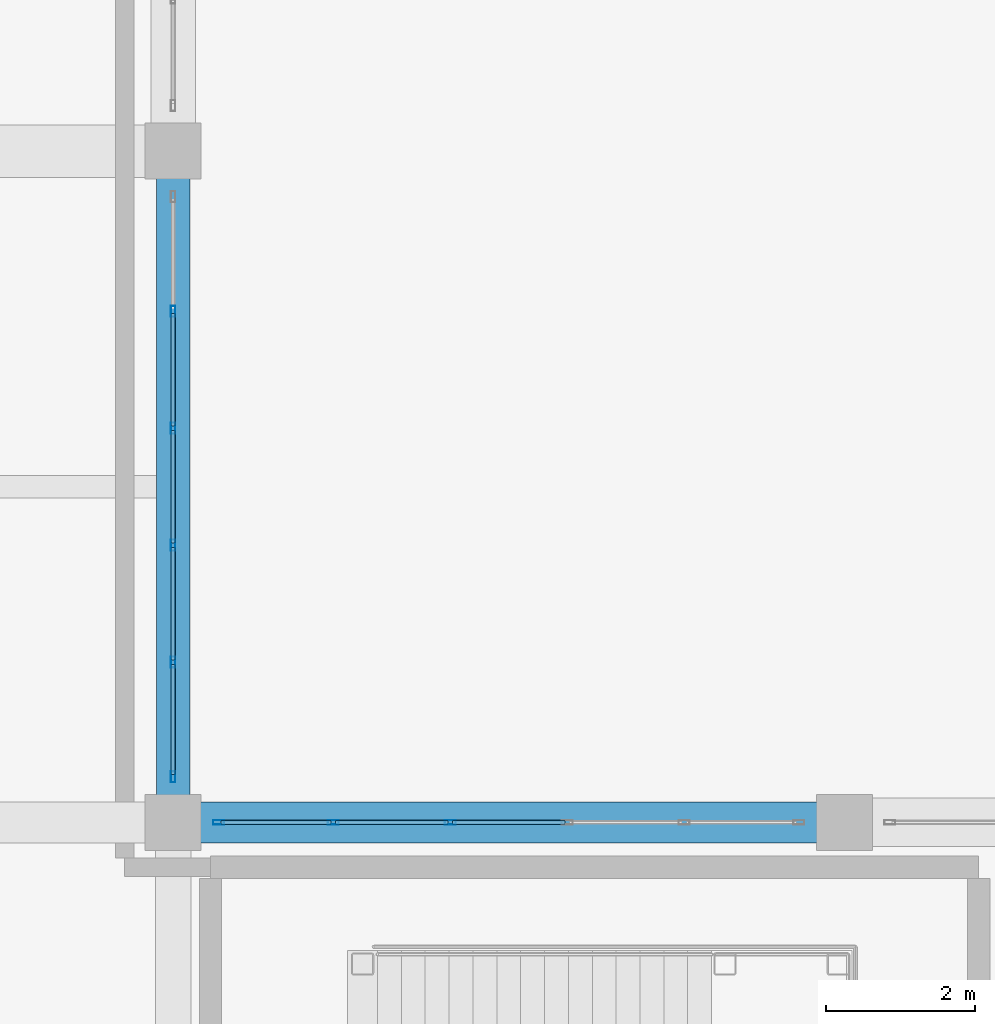
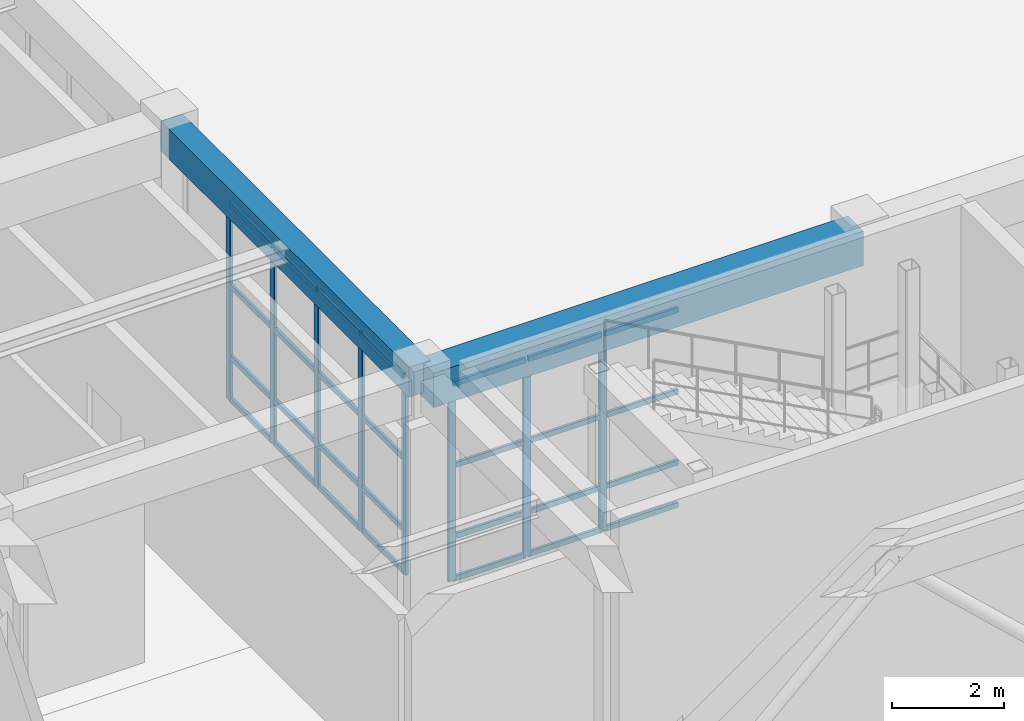
# One storey, part 19 of 128: 36 members, 2 beams, 2 elements without a shape of their own.
"""IFC4 building model written with IfcOpenShell, lengths in metres."""

from ifc_helpers import new_model, si_unit, direction, frame, origin, origin_2d, place, context, subcontext, project, spatial, rectangle, hollow_rectangle, extrude, material, material_profile, profile_set, type_object, element, aggregate, save


model = new_model("IFC4")

# Units and contexts
model_context = context("Model", 3, precision=1e-05, world=origin(), true_north=direction((0.0, 1.0)))
body_context = subcontext(model_context, "Body", "Model", "MODEL_VIEW")
ifc_project = project(units=[si_unit("LENGTHUNIT", "METRE"), si_unit("AREAUNIT", "SQUARE_METRE"), si_unit("VOLUMEUNIT", "CUBIC_METRE"), si_unit("PLANEANGLEUNIT", "RADIAN"), si_unit("MASSUNIT", "GRAM", prefix="KILO")], contexts=[model_context])

# Site, building, storey
site_placement = place(None, origin())
site = spatial("IfcSite", under=ifc_project, at=site_placement, CompositionType="ELEMENT")
building_placement = place(site_placement, origin())
building = spatial("IfcBuilding", under=site, at=building_placement, Name="Miravela Opera House", CompositionType="ELEMENT")
storey_placement = place(building_placement, origin())
storey = spatial("IfcBuildingStorey", under=building, at=storey_placement, Name="L00", CompositionType="ELEMENT", Elevation=0.0)

# Curtain wall, members
ifc_material_1 = material(Name="Anodised architectural bronze aluminium 6063-T6", Category="aluminium")
curtain_wall_type = type_object("IfcCurtainWallType", Name="ARC-CW-06", PredefinedType="NOTDEFINED", material=ifc_material_1)
curtain_wall_1_placement = place(storey_placement, origin())
curtain_wall_1 = element("IfcCurtainWall", 1, at=curtain_wall_1_placement, inside=storey, type_object=curtain_wall_type, Name="Courtyard Arcade Curtain Wall CW-L00-114", PredefinedType="NOTDEFINED")
ifc_material_profile_1 = material_profile(ifc_material_1, hollow_rectangle(XDim=0.06005859375, YDim=0.14990234375, WallThickness=0.00390625, InnerFilletRadius=0.001953125, OuterFilletRadius=0.00390625, at=origin_2d()), Name="CWM-60X150")
ifc_profile_set_1 = profile_set([ifc_material_profile_1])
member_type_1 = type_object("IfcMemberType", Name="ARC-CWM-150", PredefinedType="MULLION", material=ifc_profile_set_1)
member_1_placement = place(storey_placement, frame((27.610107421875, 9.0, 0.0), z_axis=(0.0, 0.0, 1.0), x_axis=(0.0, 1.0, 0.0)))
member_1 = element("IfcMember", 2, at=member_1_placement, type_object=member_type_1, Name="CW-06 mullion 1", PredefinedType="MULLION", context=body_context, shape_type="SweptSolid", body=[
    extrude(hollow_rectangle(XDim=0.06005859375, YDim=0.14990234375, WallThickness=0.00390625, InnerFilletRadius=0.001953125, OuterFilletRadius=0.00390625, at=origin_2d()), origin(), (0.0, 0.0, 1.0), 4.300048828125),
])
member_2_placement = place(storey_placement, frame((29.14794921875, 9.0, 0.0), z_axis=(0.0, 0.0, 1.0), x_axis=(0.0, 1.0, 0.0)))
member_2 = element("IfcMember", 3, at=member_2_placement, type_object=member_type_1, Name="CW-06 mullion 2", PredefinedType="MULLION", context=body_context, shape_type="SweptSolid", body=[
    extrude(hollow_rectangle(XDim=0.06005859375, YDim=0.14990234375, WallThickness=0.00390625, InnerFilletRadius=0.001953125, OuterFilletRadius=0.00390625, at=origin_2d()), origin(), (0.0, 0.0, 1.0), 4.300048828125),
])
member_3_placement = place(storey_placement, frame((30.716064453125, 9.0, 0.0), z_axis=(0.0, 0.0, 1.0), x_axis=(0.0, 1.0, 0.0)))
member_3 = element("IfcMember", 4, at=member_3_placement, type_object=member_type_1, Name="CW-06 mullion 3", PredefinedType="MULLION", context=body_context, shape_type="SweptSolid", body=[
    extrude(hollow_rectangle(XDim=0.06005859375, YDim=0.14990234375, WallThickness=0.00390625, InnerFilletRadius=0.001953125, OuterFilletRadius=0.00390625, at=origin_2d()), origin(), (0.0, 0.0, 1.0), 4.300048828125),
])

curtain_wall_2_placement = place(storey_placement, origin())
curtain_wall_2 = element("IfcCurtainWall", 5, at=curtain_wall_2_placement, inside=storey, type_object=curtain_wall_type, Name="Courtyard Arcade Curtain Wall CW-L00-121", PredefinedType="NOTDEFINED")
member_4_placement = place(storey_placement, frame((27.0, 9.610107421875, 0.0), z_axis=(0.0, 0.0, 1.0), x_axis=(-1.0, 0.0, 0.0)))
member_4 = element("IfcMember", 6, at=member_4_placement, type_object=member_type_1, Name="CW-06 mullion 1", PredefinedType="MULLION", context=body_context, shape_type="SweptSolid", body=[
    extrude(hollow_rectangle(XDim=0.06005859375, YDim=0.14990234375, WallThickness=0.00390625, InnerFilletRadius=0.001953125, OuterFilletRadius=0.00390625, at=origin_2d()), origin(), (0.0, 0.0, 1.0), 4.300048828125),
])
member_5_placement = place(storey_placement, frame((27.0, 11.14794921875, 0.0), z_axis=(0.0, 0.0, 1.0), x_axis=(-1.0, 0.0, 0.0)))
member_5 = element("IfcMember", 7, at=member_5_placement, type_object=member_type_1, Name="CW-06 mullion 2", PredefinedType="MULLION", context=body_context, shape_type="SweptSolid", body=[
    extrude(hollow_rectangle(XDim=0.06005859375, YDim=0.14990234375, WallThickness=0.00390625, InnerFilletRadius=0.001953125, OuterFilletRadius=0.00390625, at=origin_2d()), origin(), (0.0, 0.0, 1.0), 4.300048828125),
])
member_6_placement = place(storey_placement, frame((27.0, 12.716064453125, 0.0), z_axis=(0.0, 0.0, 1.0), x_axis=(-1.0, 0.0, 0.0)))
member_6 = element("IfcMember", 8, at=member_6_placement, type_object=member_type_1, Name="CW-06 mullion 3", PredefinedType="MULLION", context=body_context, shape_type="SweptSolid", body=[
    extrude(hollow_rectangle(XDim=0.06005859375, YDim=0.14990234375, WallThickness=0.00390625, InnerFilletRadius=0.001953125, OuterFilletRadius=0.00390625, at=origin_2d()), origin(), (0.0, 0.0, 1.0), 4.300048828125),
])
member_7_placement = place(storey_placement, frame((27.0, 14.283935546875, 0.0), z_axis=(0.0, 0.0, 1.0), x_axis=(-1.0, 0.0, 0.0)))
member_7 = element("IfcMember", 9, at=member_7_placement, type_object=member_type_1, Name="CW-06 mullion 4", PredefinedType="MULLION", context=body_context, shape_type="SweptSolid", body=[
    extrude(hollow_rectangle(XDim=0.06005859375, YDim=0.14990234375, WallThickness=0.00390625, InnerFilletRadius=0.001953125, OuterFilletRadius=0.00390625, at=origin_2d()), origin(), (0.0, 0.0, 1.0), 4.300048828125),
])
member_8_placement = place(storey_placement, frame((27.0, 15.85205078125, 0.0), z_axis=(0.0, 0.0, 1.0), x_axis=(-1.0, 0.0, 0.0)))
member_8 = element("IfcMember", 10, at=member_8_placement, type_object=member_type_1, Name="CW-06 mullion 5", PredefinedType="MULLION", context=body_context, shape_type="SweptSolid", body=[
    extrude(hollow_rectangle(XDim=0.06005859375, YDim=0.14990234375, WallThickness=0.00390625, InnerFilletRadius=0.001953125, OuterFilletRadius=0.00390625, at=origin_2d()), origin(), (0.0, 0.0, 1.0), 4.300048828125),
])

# Member
ifc_material_profile_2 = material_profile(ifc_material_1, hollow_rectangle(XDim=0.06005859375, YDim=0.114990234375, WallThickness=0.00390625, InnerFilletRadius=0.001953125, OuterFilletRadius=0.00390625, at=origin_2d()), Name="CWT-60X115")
ifc_profile_set_2 = profile_set([ifc_material_profile_2])
member_type_2 = type_object("IfcMemberType", Name="ARC-CWT-115", PredefinedType="USERDEFINED", material=ifc_profile_set_2)
member_9_placement = place(storey_placement, frame((27.639892578125, 9.0, 0.030029296875), z_axis=(1.0, 0.0, 0.0), x_axis=(0.0, 1.0, 0.0)))
member_9 = element("IfcMember", 11, at=member_9_placement, type_object=member_type_2, Name="CW-06 transom 1.1", ObjectType="TRANSOM", PredefinedType="USERDEFINED", context=body_context, shape_type="SweptSolid", body=[
    extrude(hollow_rectangle(XDim=0.06005859375, YDim=0.114990234375, WallThickness=0.00390625, InnerFilletRadius=0.001953125, OuterFilletRadius=0.00390625, at=origin_2d()), origin(), (0.0, 0.0, 1.0), 1.47802734375),
])

member_10_placement = place(storey_placement, frame((27.639892578125, 9.0, 0.949951171875), z_axis=(1.0, 0.0, 0.0), x_axis=(0.0, 1.0, 0.0)))
member_10 = element("IfcMember", 12, at=member_10_placement, type_object=member_type_2, Name="CW-06 transom 1.2", ObjectType="TRANSOM", PredefinedType="USERDEFINED", context=body_context, shape_type="SweptSolid", body=[
    extrude(hollow_rectangle(XDim=0.06005859375, YDim=0.114990234375, WallThickness=0.00390625, InnerFilletRadius=0.001953125, OuterFilletRadius=0.00390625, at=origin_2d()), origin(), (0.0, 0.0, 1.0), 1.47802734375),
])

member_11_placement = place(storey_placement, frame((27.639892578125, 9.0, 2.493896484375), z_axis=(1.0, 0.0, 0.0), x_axis=(0.0, 1.0, 0.0)))
member_11 = element("IfcMember", 13, at=member_11_placement, type_object=member_type_2, Name="CW-06 transom 1.3", ObjectType="TRANSOM", PredefinedType="USERDEFINED", context=body_context, shape_type="SweptSolid", body=[
    extrude(hollow_rectangle(XDim=0.06005859375, YDim=0.114990234375, WallThickness=0.00390625, InnerFilletRadius=0.001953125, OuterFilletRadius=0.00390625, at=origin_2d()), origin(), (0.0, 0.0, 1.0), 1.47802734375),
])

member_12_placement = place(storey_placement, frame((27.639892578125, 9.0, 4.27001953125), z_axis=(1.0, 0.0, 0.0), x_axis=(0.0, 1.0, 0.0)))
member_12 = element("IfcMember", 14, at=member_12_placement, type_object=member_type_2, Name="CW-06 transom 1.4", ObjectType="TRANSOM", PredefinedType="USERDEFINED", context=body_context, shape_type="SweptSolid", body=[
    extrude(hollow_rectangle(XDim=0.06005859375, YDim=0.114990234375, WallThickness=0.00390625, InnerFilletRadius=0.001953125, OuterFilletRadius=0.00390625, at=origin_2d()), origin(), (0.0, 0.0, 1.0), 1.47802734375),
])

member_13_placement = place(storey_placement, frame((29.177978515625, 9.0, 0.030029296875), z_axis=(1.0, 0.0, 0.0), x_axis=(0.0, 1.0, 0.0)))
member_13 = element("IfcMember", 15, at=member_13_placement, type_object=member_type_2, Name="CW-06 transom 2.1", ObjectType="TRANSOM", PredefinedType="USERDEFINED", context=body_context, shape_type="SweptSolid", body=[
    extrude(hollow_rectangle(XDim=0.06005859375, YDim=0.114990234375, WallThickness=0.00390625, InnerFilletRadius=0.001953125, OuterFilletRadius=0.00390625, at=origin_2d()), origin(), (0.0, 0.0, 1.0), 1.508056640625),
])

member_14_placement = place(storey_placement, frame((29.177978515625, 9.0, 0.949951171875), z_axis=(1.0, 0.0, 0.0), x_axis=(0.0, 1.0, 0.0)))
member_14 = element("IfcMember", 16, at=member_14_placement, type_object=member_type_2, Name="CW-06 transom 2.2", ObjectType="TRANSOM", PredefinedType="USERDEFINED", context=body_context, shape_type="SweptSolid", body=[
    extrude(hollow_rectangle(XDim=0.06005859375, YDim=0.114990234375, WallThickness=0.00390625, InnerFilletRadius=0.001953125, OuterFilletRadius=0.00390625, at=origin_2d()), origin(), (0.0, 0.0, 1.0), 1.508056640625),
])

member_15_placement = place(storey_placement, frame((29.177978515625, 9.0, 2.493896484375), z_axis=(1.0, 0.0, 0.0), x_axis=(0.0, 1.0, 0.0)))
member_15 = element("IfcMember", 17, at=member_15_placement, type_object=member_type_2, Name="CW-06 transom 2.3", ObjectType="TRANSOM", PredefinedType="USERDEFINED", context=body_context, shape_type="SweptSolid", body=[
    extrude(hollow_rectangle(XDim=0.06005859375, YDim=0.114990234375, WallThickness=0.00390625, InnerFilletRadius=0.001953125, OuterFilletRadius=0.00390625, at=origin_2d()), origin(), (0.0, 0.0, 1.0), 1.508056640625),
])

member_16_placement = place(storey_placement, frame((29.177978515625, 9.0, 4.27001953125), z_axis=(1.0, 0.0, 0.0), x_axis=(0.0, 1.0, 0.0)))
member_16 = element("IfcMember", 18, at=member_16_placement, type_object=member_type_2, Name="CW-06 transom 2.4", ObjectType="TRANSOM", PredefinedType="USERDEFINED", context=body_context, shape_type="SweptSolid", body=[
    extrude(hollow_rectangle(XDim=0.06005859375, YDim=0.114990234375, WallThickness=0.00390625, InnerFilletRadius=0.001953125, OuterFilletRadius=0.00390625, at=origin_2d()), origin(), (0.0, 0.0, 1.0), 1.508056640625),
])

member_17_placement = place(storey_placement, frame((30.74609375, 9.0, 0.030029296875), z_axis=(1.0, 0.0, 0.0), x_axis=(0.0, 1.0, 0.0)))
member_17 = element("IfcMember", 19, at=member_17_placement, type_object=member_type_2, Name="CW-06 transom 3.1", ObjectType="TRANSOM", PredefinedType="USERDEFINED", context=body_context, shape_type="SweptSolid", body=[
    extrude(hollow_rectangle(XDim=0.06005859375, YDim=0.114990234375, WallThickness=0.00390625, InnerFilletRadius=0.001953125, OuterFilletRadius=0.00390625, at=origin_2d()), origin(), (0.0, 0.0, 1.0), 1.5078125),
])

member_18_placement = place(storey_placement, frame((30.74609375, 9.0, 0.949951171875), z_axis=(1.0, 0.0, 0.0), x_axis=(0.0, 1.0, 0.0)))
member_18 = element("IfcMember", 20, at=member_18_placement, type_object=member_type_2, Name="CW-06 transom 3.2", ObjectType="TRANSOM", PredefinedType="USERDEFINED", context=body_context, shape_type="SweptSolid", body=[
    extrude(hollow_rectangle(XDim=0.06005859375, YDim=0.114990234375, WallThickness=0.00390625, InnerFilletRadius=0.001953125, OuterFilletRadius=0.00390625, at=origin_2d()), origin(), (0.0, 0.0, 1.0), 1.5078125),
])

member_19_placement = place(storey_placement, frame((30.74609375, 9.0, 2.493896484375), z_axis=(1.0, 0.0, 0.0), x_axis=(0.0, 1.0, 0.0)))
member_19 = element("IfcMember", 21, at=member_19_placement, type_object=member_type_2, Name="CW-06 transom 3.3", ObjectType="TRANSOM", PredefinedType="USERDEFINED", context=body_context, shape_type="SweptSolid", body=[
    extrude(hollow_rectangle(XDim=0.06005859375, YDim=0.114990234375, WallThickness=0.00390625, InnerFilletRadius=0.001953125, OuterFilletRadius=0.00390625, at=origin_2d()), origin(), (0.0, 0.0, 1.0), 1.5078125),
])

member_20_placement = place(storey_placement, frame((30.74609375, 9.0, 4.27001953125), z_axis=(1.0, 0.0, 0.0), x_axis=(0.0, 1.0, 0.0)))
member_20 = element("IfcMember", 22, at=member_20_placement, type_object=member_type_2, Name="CW-06 transom 3.4", ObjectType="TRANSOM", PredefinedType="USERDEFINED", context=body_context, shape_type="SweptSolid", body=[
    extrude(hollow_rectangle(XDim=0.06005859375, YDim=0.114990234375, WallThickness=0.00390625, InnerFilletRadius=0.001953125, OuterFilletRadius=0.00390625, at=origin_2d()), origin(), (0.0, 0.0, 1.0), 1.5078125),
])

aggregate(curtain_wall_1, [member_1, member_2, member_3, member_9, member_10, member_11, member_12, member_13, member_14, member_15, member_16, member_17, member_18, member_19, member_20])

member_21_placement = place(storey_placement, frame((27.0, 9.639892578125, 0.030029296875), z_axis=(0.0, 1.0, 0.0), x_axis=(-1.0, 0.0, 0.0)))
member_21 = element("IfcMember", 23, at=member_21_placement, type_object=member_type_2, Name="CW-06 transom 1.1", ObjectType="TRANSOM", PredefinedType="USERDEFINED", context=body_context, shape_type="SweptSolid", body=[
    extrude(hollow_rectangle(XDim=0.06005859375, YDim=0.114990234375, WallThickness=0.00390625, InnerFilletRadius=0.001953125, OuterFilletRadius=0.00390625, at=origin_2d()), origin(), (0.0, 0.0, 1.0), 1.47802734375),
])

member_22_placement = place(storey_placement, frame((27.0, 9.639892578125, 0.949951171875), z_axis=(0.0, 1.0, 0.0), x_axis=(-1.0, 0.0, 0.0)))
member_22 = element("IfcMember", 24, at=member_22_placement, type_object=member_type_2, Name="CW-06 transom 1.2", ObjectType="TRANSOM", PredefinedType="USERDEFINED", context=body_context, shape_type="SweptSolid", body=[
    extrude(hollow_rectangle(XDim=0.06005859375, YDim=0.114990234375, WallThickness=0.00390625, InnerFilletRadius=0.001953125, OuterFilletRadius=0.00390625, at=origin_2d()), origin(), (0.0, 0.0, 1.0), 1.47802734375),
])

member_23_placement = place(storey_placement, frame((27.0, 9.639892578125, 2.493896484375), z_axis=(0.0, 1.0, 0.0), x_axis=(-1.0, 0.0, 0.0)))
member_23 = element("IfcMember", 25, at=member_23_placement, type_object=member_type_2, Name="CW-06 transom 1.3", ObjectType="TRANSOM", PredefinedType="USERDEFINED", context=body_context, shape_type="SweptSolid", body=[
    extrude(hollow_rectangle(XDim=0.06005859375, YDim=0.114990234375, WallThickness=0.00390625, InnerFilletRadius=0.001953125, OuterFilletRadius=0.00390625, at=origin_2d()), origin(), (0.0, 0.0, 1.0), 1.47802734375),
])

member_24_placement = place(storey_placement, frame((27.0, 9.639892578125, 4.27001953125), z_axis=(0.0, 1.0, 0.0), x_axis=(-1.0, 0.0, 0.0)))
member_24 = element("IfcMember", 26, at=member_24_placement, type_object=member_type_2, Name="CW-06 transom 1.4", ObjectType="TRANSOM", PredefinedType="USERDEFINED", context=body_context, shape_type="SweptSolid", body=[
    extrude(hollow_rectangle(XDim=0.06005859375, YDim=0.114990234375, WallThickness=0.00390625, InnerFilletRadius=0.001953125, OuterFilletRadius=0.00390625, at=origin_2d()), origin(), (0.0, 0.0, 1.0), 1.47802734375),
])

member_25_placement = place(storey_placement, frame((27.0, 11.177978515625, 0.030029296875), z_axis=(0.0, 1.0, 0.0), x_axis=(-1.0, 0.0, 0.0)))
member_25 = element("IfcMember", 27, at=member_25_placement, type_object=member_type_2, Name="CW-06 transom 2.1", ObjectType="TRANSOM", PredefinedType="USERDEFINED", context=body_context, shape_type="SweptSolid", body=[
    extrude(hollow_rectangle(XDim=0.06005859375, YDim=0.114990234375, WallThickness=0.00390625, InnerFilletRadius=0.001953125, OuterFilletRadius=0.00390625, at=origin_2d()), origin(), (0.0, 0.0, 1.0), 1.508056640625),
])

member_26_placement = place(storey_placement, frame((27.0, 11.177978515625, 0.949951171875), z_axis=(0.0, 1.0, 0.0), x_axis=(-1.0, 0.0, 0.0)))
member_26 = element("IfcMember", 28, at=member_26_placement, type_object=member_type_2, Name="CW-06 transom 2.2", ObjectType="TRANSOM", PredefinedType="USERDEFINED", context=body_context, shape_type="SweptSolid", body=[
    extrude(hollow_rectangle(XDim=0.06005859375, YDim=0.114990234375, WallThickness=0.00390625, InnerFilletRadius=0.001953125, OuterFilletRadius=0.00390625, at=origin_2d()), origin(), (0.0, 0.0, 1.0), 1.508056640625),
])

member_27_placement = place(storey_placement, frame((27.0, 11.177978515625, 2.493896484375), z_axis=(0.0, 1.0, 0.0), x_axis=(-1.0, 0.0, 0.0)))
member_27 = element("IfcMember", 29, at=member_27_placement, type_object=member_type_2, Name="CW-06 transom 2.3", ObjectType="TRANSOM", PredefinedType="USERDEFINED", context=body_context, shape_type="SweptSolid", body=[
    extrude(hollow_rectangle(XDim=0.06005859375, YDim=0.114990234375, WallThickness=0.00390625, InnerFilletRadius=0.001953125, OuterFilletRadius=0.00390625, at=origin_2d()), origin(), (0.0, 0.0, 1.0), 1.508056640625),
])

member_28_placement = place(storey_placement, frame((27.0, 11.177978515625, 4.27001953125), z_axis=(0.0, 1.0, 0.0), x_axis=(-1.0, 0.0, 0.0)))
member_28 = element("IfcMember", 30, at=member_28_placement, type_object=member_type_2, Name="CW-06 transom 2.4", ObjectType="TRANSOM", PredefinedType="USERDEFINED", context=body_context, shape_type="SweptSolid", body=[
    extrude(hollow_rectangle(XDim=0.06005859375, YDim=0.114990234375, WallThickness=0.00390625, InnerFilletRadius=0.001953125, OuterFilletRadius=0.00390625, at=origin_2d()), origin(), (0.0, 0.0, 1.0), 1.508056640625),
])

member_29_placement = place(storey_placement, frame((27.0, 12.74609375, 0.030029296875), z_axis=(0.0, 1.0, 0.0), x_axis=(-1.0, 0.0, 0.0)))
member_29 = element("IfcMember", 31, at=member_29_placement, type_object=member_type_2, Name="CW-06 transom 3.1", ObjectType="TRANSOM", PredefinedType="USERDEFINED", context=body_context, shape_type="SweptSolid", body=[
    extrude(hollow_rectangle(XDim=0.06005859375, YDim=0.114990234375, WallThickness=0.00390625, InnerFilletRadius=0.001953125, OuterFilletRadius=0.00390625, at=origin_2d()), origin(), (0.0, 0.0, 1.0), 1.5078125),
])

member_30_placement = place(storey_placement, frame((27.0, 12.74609375, 0.949951171875), z_axis=(0.0, 1.0, 0.0), x_axis=(-1.0, 0.0, 0.0)))
member_30 = element("IfcMember", 32, at=member_30_placement, type_object=member_type_2, Name="CW-06 transom 3.2", ObjectType="TRANSOM", PredefinedType="USERDEFINED", context=body_context, shape_type="SweptSolid", body=[
    extrude(hollow_rectangle(XDim=0.06005859375, YDim=0.114990234375, WallThickness=0.00390625, InnerFilletRadius=0.001953125, OuterFilletRadius=0.00390625, at=origin_2d()), origin(), (0.0, 0.0, 1.0), 1.5078125),
])

member_31_placement = place(storey_placement, frame((27.0, 12.74609375, 2.493896484375), z_axis=(0.0, 1.0, 0.0), x_axis=(-1.0, 0.0, 0.0)))
member_31 = element("IfcMember", 33, at=member_31_placement, type_object=member_type_2, Name="CW-06 transom 3.3", ObjectType="TRANSOM", PredefinedType="USERDEFINED", context=body_context, shape_type="SweptSolid", body=[
    extrude(hollow_rectangle(XDim=0.06005859375, YDim=0.114990234375, WallThickness=0.00390625, InnerFilletRadius=0.001953125, OuterFilletRadius=0.00390625, at=origin_2d()), origin(), (0.0, 0.0, 1.0), 1.5078125),
])

member_32_placement = place(storey_placement, frame((27.0, 12.74609375, 4.27001953125), z_axis=(0.0, 1.0, 0.0), x_axis=(-1.0, 0.0, 0.0)))
member_32 = element("IfcMember", 34, at=member_32_placement, type_object=member_type_2, Name="CW-06 transom 3.4", ObjectType="TRANSOM", PredefinedType="USERDEFINED", context=body_context, shape_type="SweptSolid", body=[
    extrude(hollow_rectangle(XDim=0.06005859375, YDim=0.114990234375, WallThickness=0.00390625, InnerFilletRadius=0.001953125, OuterFilletRadius=0.00390625, at=origin_2d()), origin(), (0.0, 0.0, 1.0), 1.5078125),
])

member_33_placement = place(storey_placement, frame((27.0, 14.31396484375, 0.030029296875), z_axis=(0.0, 1.0, 0.0), x_axis=(-1.0, 0.0, 0.0)))
member_33 = element("IfcMember", 35, at=member_33_placement, type_object=member_type_2, Name="CW-06 transom 4.1", ObjectType="TRANSOM", PredefinedType="USERDEFINED", context=body_context, shape_type="SweptSolid", body=[
    extrude(hollow_rectangle(XDim=0.06005859375, YDim=0.114990234375, WallThickness=0.00390625, InnerFilletRadius=0.001953125, OuterFilletRadius=0.00390625, at=origin_2d()), origin(), (0.0, 0.0, 1.0), 1.508056640625),
])

member_34_placement = place(storey_placement, frame((27.0, 14.31396484375, 0.949951171875), z_axis=(0.0, 1.0, 0.0), x_axis=(-1.0, 0.0, 0.0)))
member_34 = element("IfcMember", 36, at=member_34_placement, type_object=member_type_2, Name="CW-06 transom 4.2", ObjectType="TRANSOM", PredefinedType="USERDEFINED", context=body_context, shape_type="SweptSolid", body=[
    extrude(hollow_rectangle(XDim=0.06005859375, YDim=0.114990234375, WallThickness=0.00390625, InnerFilletRadius=0.001953125, OuterFilletRadius=0.00390625, at=origin_2d()), origin(), (0.0, 0.0, 1.0), 1.508056640625),
])

member_35_placement = place(storey_placement, frame((27.0, 14.31396484375, 2.493896484375), z_axis=(0.0, 1.0, 0.0), x_axis=(-1.0, 0.0, 0.0)))
member_35 = element("IfcMember", 37, at=member_35_placement, type_object=member_type_2, Name="CW-06 transom 4.3", ObjectType="TRANSOM", PredefinedType="USERDEFINED", context=body_context, shape_type="SweptSolid", body=[
    extrude(hollow_rectangle(XDim=0.06005859375, YDim=0.114990234375, WallThickness=0.00390625, InnerFilletRadius=0.001953125, OuterFilletRadius=0.00390625, at=origin_2d()), origin(), (0.0, 0.0, 1.0), 1.508056640625),
])

member_36_placement = place(storey_placement, frame((27.0, 14.31396484375, 4.27001953125), z_axis=(0.0, 1.0, 0.0), x_axis=(-1.0, 0.0, 0.0)))
member_36 = element("IfcMember", 38, at=member_36_placement, type_object=member_type_2, Name="CW-06 transom 4.4", ObjectType="TRANSOM", PredefinedType="USERDEFINED", context=body_context, shape_type="SweptSolid", body=[
    extrude(hollow_rectangle(XDim=0.06005859375, YDim=0.114990234375, WallThickness=0.00390625, InnerFilletRadius=0.001953125, OuterFilletRadius=0.00390625, at=origin_2d()), origin(), (0.0, 0.0, 1.0), 1.508056640625),
])

aggregate(curtain_wall_2, [member_4, member_5, member_6, member_7, member_8, member_21, member_22, member_23, member_24, member_25, member_26, member_27, member_28, member_29, member_30, member_31, member_32, member_33, member_34, member_35, member_36])

# Beams
ifc_material_2 = material(Name="Concrete C35/45", Category="concrete")
ifc_material_profile_3 = material_profile(ifc_material_2, rectangle(XDim=0.449951171875, YDim=0.64990234375, at=origin_2d()), Name="RC-BM-450X650")
ifc_profile_set_3 = profile_set([ifc_material_profile_3])
beam_type_1 = type_object("IfcBeamType", Name="STR-BM-RC450X650", PredefinedType="BEAM", material=ifc_profile_set_3)
beam_1_placement = place(storey_placement, frame((27.0, 9.080078125, 4.544921875), z_axis=(0.0, 1.0, 0.0), x_axis=(-1.0, 0.0, 0.0)))
element("IfcBeam", 39, at=beam_1_placement, inside=storey, type_object=beam_type_1, Name="Floor Girder L00 4/B-C", PredefinedType="BEAM", context=body_context, shape_type="SweptSolid", body=[
    extrude(rectangle(XDim=0.449951171875, YDim=0.64990234375, at=origin_2d()), origin(), (0.0, 0.0, 1.0), 8.83984375),
])
ifc_material_profile_4 = material_profile(ifc_material_2, rectangle(XDim=0.550048828125, YDim=0.75, at=origin_2d()), Name="RC-BM-550X750")
ifc_profile_set_4 = profile_set([ifc_material_profile_4])
beam_type_2 = type_object("IfcBeamType", Name="STR-BM-RC550X750", PredefinedType="BEAM", material=ifc_profile_set_4)
beam_2_placement = place(storey_placement, frame((27.080078125, 9.0, 4.47509765625), z_axis=(1.0, 0.0, 0.0), x_axis=(0.0, 1.0, 0.0)))
element("IfcBeam", 40, at=beam_2_placement, inside=storey, type_object=beam_type_2, Name="Floor Girder L00 4-5/B", PredefinedType="BEAM", context=body_context, shape_type="SweptSolid", body=[
    extrude(rectangle(XDim=0.550048828125, YDim=0.75, at=origin_2d()), origin(), (0.0, 0.0, 1.0), 8.83984375),
])

save(model, "model.ifc")
